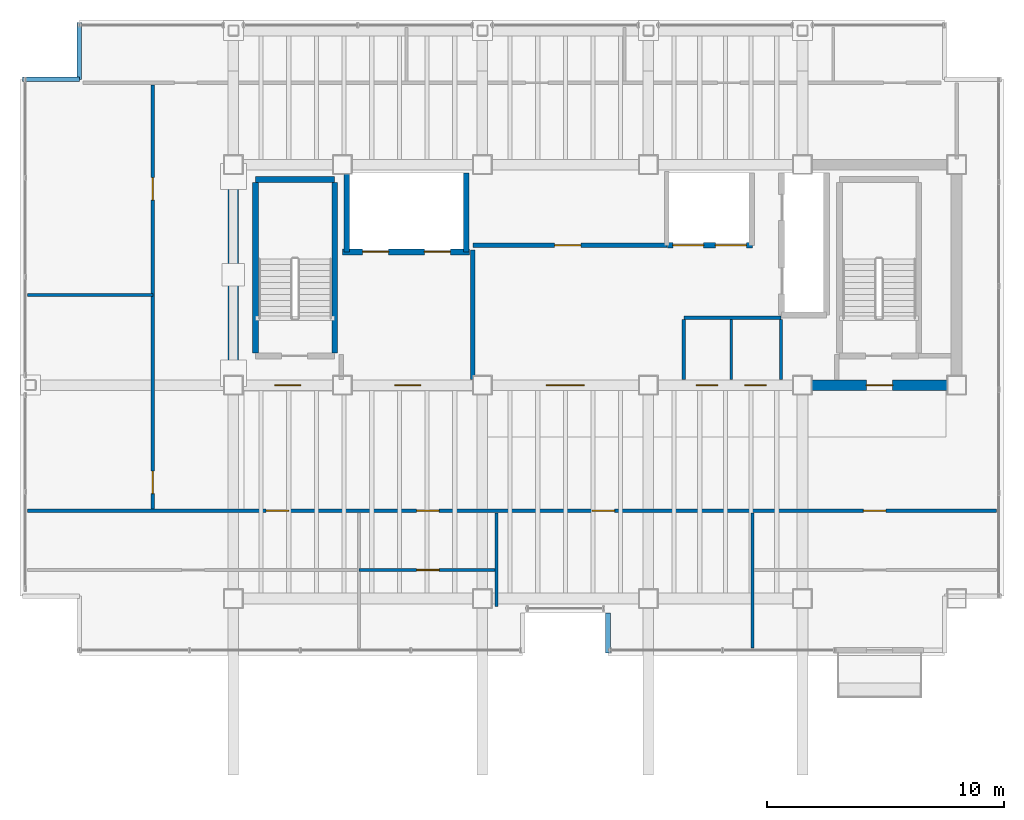
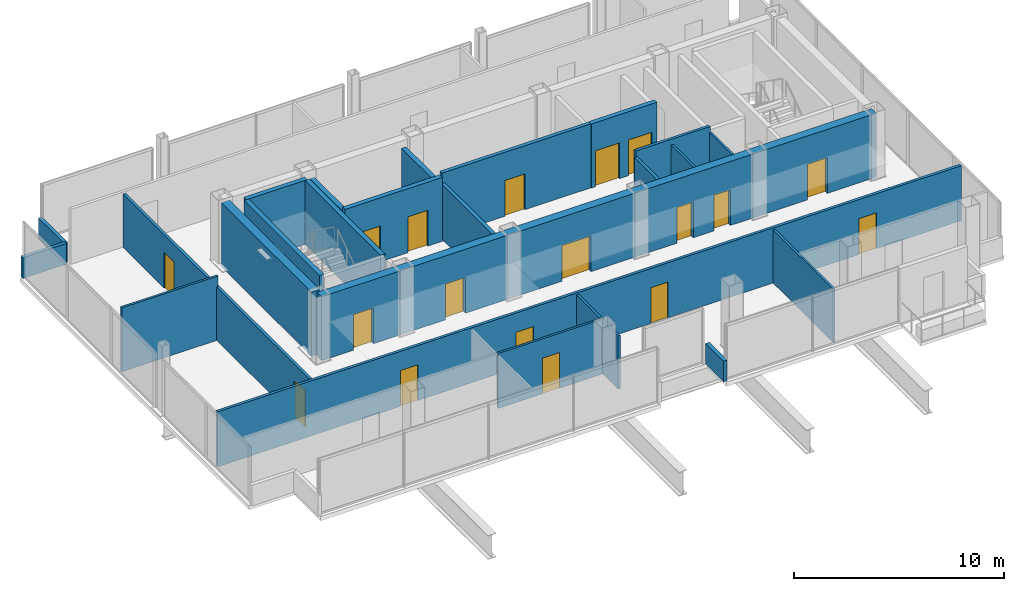
# One storey, part 17 of 19: 24 walls, 18 doors, 18 openings.
"""IFC4 building model written with IfcOpenShell, lengths in metres."""

from ifc_helpers import new_model, si_unit, direction, frame, frame_2d, origin, place, context, subcontext, project, spatial, rectangle, extrude, material, layer, layer_set, type_object, element, fill, save


model = new_model("IFC4")

# Units and contexts
model_context = context("Model", 3, precision=1e-05, world=origin(), true_north=direction((0.0, 1.0)))
body_context = subcontext(model_context, "Body", "Model", "MODEL_VIEW")
ifc_project = project(units=[si_unit("LENGTHUNIT", "METRE"), si_unit("AREAUNIT", "SQUARE_METRE"), si_unit("VOLUMEUNIT", "CUBIC_METRE"), si_unit("PLANEANGLEUNIT", "RADIAN"), si_unit("MASSUNIT", "GRAM", prefix="KILO")], contexts=[model_context])

# Site, building, storey
site_placement = place(None, origin())
site = spatial("IfcSite", under=ifc_project, at=site_placement, CompositionType="ELEMENT")
building_placement = place(site_placement, origin())
building = spatial("IfcBuilding", under=site, at=building_placement, Name="Noeulbin Bourse Tower", CompositionType="ELEMENT")
storey_placement = place(building_placement, frame((0.0, 0.0, 257.89990234375)))
storey = spatial("IfcBuildingStorey", under=building, at=storey_placement, Name="L64", CompositionType="ELEMENT", Elevation=257.89990234375)

# Wall, openings, doors
ifc_material_1 = material(Name="Concrete C50/60", Category="concrete")
ifc_layer_1 = layer(ifc_material_1, 0.449951171875)
ifc_layer_set_1 = layer_set([ifc_layer_1], Name="Concrete C50/60")
wall_type_1 = type_object("IfcWallType", Name="WAL-CORE-450", PredefinedType="SHEAR", material=ifc_layer_set_1)
wall_1_placement = place(storey_placement, frame((13.5, 29.0, 0.0), z_axis=(0.0, 0.0, 1.0), x_axis=(1.0, 0.0, 0.0)))
wall_1 = element("IfcWall", 1, at=wall_1_placement, inside=storey, type_object=wall_type_1, Name="Rear Core South Shear Wall L64", PredefinedType="SHEAR", context=body_context, shape_type="SweptSolid", body=[
    extrude(rectangle(XDim=30.5, YDim=0.449951171875, at=frame_2d((15.25, 0.0))), origin(), (0.0, 0.0, 1.0), 3.72021484375),
])
opening_1_placement = place(wall_1_placement, frame((1.75, 0.0, 0.0)))
opening_1 = element("IfcOpeningElement", 2, at=opening_1_placement, cuts=wall_1, Name="Opening FD-11", PredefinedType="OPENING", context=body_context, shape_type="SweptSolid", body=[
    extrude(rectangle(XDim=1.10009765625, YDim=2.080078125, at=frame_2d((0.550048828125, 1.0400390625))), frame((0.0, 0.23486328125, 0.0), z_axis=(0.0, -1.0, 0.0), x_axis=(1.0, 0.0, 0.0)), (0.0, 0.0, 1.0), 0.469970703125),
])
opening_2_placement = place(wall_1_placement, frame((26.699951171875, 0.0, 0.0)))
opening_2 = element("IfcOpeningElement", 3, at=opening_2_placement, cuts=wall_1, Name="Opening FD-11", PredefinedType="OPENING", context=body_context, shape_type="SweptSolid", body=[
    extrude(rectangle(XDim=1.10009765625, YDim=2.080078125, at=frame_2d((0.550048828125, 1.0400390625))), frame((0.0, 0.23486328125, 0.0), z_axis=(0.0, -1.0, 0.0), x_axis=(1.0, 0.0, 0.0)), (0.0, 0.0, 1.0), 0.469970703125),
])
opening_3_placement = place(wall_1_placement, frame((6.800048828125, 0.0, 0.0)))
opening_3 = element("IfcOpeningElement", 4, at=opening_3_placement, cuts=wall_1, Name="Opening FD-11", PredefinedType="OPENING", context=body_context, shape_type="SweptSolid", body=[
    extrude(rectangle(XDim=1.10009765625, YDim=2.080078125, at=frame_2d((0.550048828125, 1.0400390625))), frame((0.0, 0.23486328125, 0.0), z_axis=(0.0, -1.0, 0.0), x_axis=(1.0, 0.0, 0.0)), (0.0, 0.0, 1.0), 0.469970703125),
])
opening_4_placement = place(wall_1_placement, frame((13.199951171875, 0.0, 0.0)))
opening_4 = element("IfcOpeningElement", 5, at=opening_4_placement, cuts=wall_1, Name="Opening ID-16", PredefinedType="OPENING", context=body_context, shape_type="SweptSolid", body=[
    extrude(rectangle(XDim=1.60009765625, YDim=2.080078125, at=frame_2d((0.800048828125, 1.0400390625))), frame((0.0, 0.23486328125, 0.0), z_axis=(0.0, -1.0, 0.0), x_axis=(1.0, 0.0, 0.0)), (0.0, 0.0, 1.0), 0.469970703125),
])
opening_5_placement = place(wall_1_placement, frame((19.530029296875, 0.0, 0.0)))
opening_5 = element("IfcOpeningElement", 6, at=opening_5_placement, cuts=wall_1, Name="Opening FD-09", PredefinedType="OPENING", context=body_context, shape_type="SweptSolid", body=[
    extrude(rectangle(XDim=0.89990234375, YDim=2.080078125, at=frame_2d((0.449951171875, 1.0400390625))), frame((0.0, 0.23486328125, 0.0), z_axis=(0.0, -1.0, 0.0), x_axis=(1.0, 0.0, 0.0)), (0.0, 0.0, 1.0), 0.469970703125),
])
opening_6_placement = place(wall_1_placement, frame((21.570068359375, 0.0, 0.0)))
opening_6 = element("IfcOpeningElement", 7, at=opening_6_placement, cuts=wall_1, Name="Opening FD-09", PredefinedType="OPENING", context=body_context, shape_type="SweptSolid", body=[
    extrude(rectangle(XDim=0.89990234375, YDim=2.080078125, at=frame_2d((0.449951171875, 1.0400390625))), frame((0.0, 0.23486328125, 0.0), z_axis=(0.0, -1.0, 0.0), x_axis=(1.0, 0.0, 0.0)), (0.0, 0.0, 1.0), 0.469970703125),
])
ifc_material_2 = material(Name="Acoustic Glazed Aluminium", Category="aluminium")
door_type_1 = type_object("IfcDoorType", Name="DR-DBL-1600", OperationType="DOUBLE_DOOR_SINGLE_SWING", PredefinedType="DOOR", material=ifc_material_2)
door_1_placement = place(opening_4_placement, origin())
door_1 = element("IfcDoor", 8, at=door_1_placement, inside=storey, type_object=door_type_1, Name="Passenger Lift Lobby Portal L64", OperationType="DOUBLE_DOOR_SINGLE_SWING", OverallHeight=2.080078125, OverallWidth=1.60009765625, PredefinedType="DOOR", context=body_context, shape_type="SweptSolid", body=[
    extrude(rectangle(XDim=1.60009765625, YDim=2.080078125, at=frame_2d((0.800048828125, 1.0400390625))), frame((0.0, 0.02490234375, 0.0), z_axis=(0.0, -1.0, 0.0), x_axis=(1.0, 0.0, 0.0)), (0.0, 0.0, 1.0), 0.050048828125),
])
fill(opening_4, door_1)
ifc_material_3 = material(Name="Fire-Rated Timber Core", Category="wood")
door_type_2 = type_object("IfcDoorType", Name="DR-FD30-900", OperationType="SINGLE_SWING_RIGHT", PredefinedType="DOOR", material=ifc_material_3)
door_2_placement = place(opening_5_placement, origin())
door_2 = element("IfcDoor", 9, at=door_2_placement, inside=storey, type_object=door_type_2, Name="Interior Door L64-06", OperationType="SINGLE_SWING_LEFT", OverallHeight=2.080078125, OverallWidth=0.89990234375, PredefinedType="DOOR", context=body_context, shape_type="SweptSolid", body=[
    extrude(rectangle(XDim=0.89990234375, YDim=2.080078125, at=frame_2d((0.449951171875, 1.0400390625))), frame((0.0, 0.02490234375, 0.0), z_axis=(0.0, -1.0, 0.0), x_axis=(1.0, 0.0, 0.0)), (0.0, 0.0, 1.0), 0.050048828125),
])
fill(opening_5, door_2)
door_3_placement = place(opening_6_placement, origin())
door_3 = element("IfcDoor", 10, at=door_3_placement, inside=storey, type_object=door_type_2, Name="Interior Door L64-07", OperationType="SINGLE_SWING_RIGHT", OverallHeight=2.080078125, OverallWidth=0.89990234375, PredefinedType="DOOR", context=body_context, shape_type="SweptSolid", body=[
    extrude(rectangle(XDim=0.89990234375, YDim=2.080078125, at=frame_2d((0.449951171875, 1.0400390625))), frame((0.0, 0.02490234375, 0.0), z_axis=(0.0, -1.0, 0.0), x_axis=(1.0, 0.0, 0.0)), (0.0, 0.0, 1.0), 0.050048828125),
])
fill(opening_6, door_3)
ifc_material_4 = material(Name="Fire-Rated Insulated Steel", Category="steel")
door_type_3 = type_object("IfcDoorType", Name="DR-FD60-1100", OperationType="SINGLE_SWING_LEFT", PredefinedType="DOOR", material=ifc_material_4)
door_4_placement = place(opening_1_placement, origin())
door_4 = element("IfcDoor", 11, at=door_4_placement, inside=storey, type_object=door_type_3, Name="West Stair Lobby Door L64", OperationType="SINGLE_SWING_RIGHT", OverallHeight=2.080078125, OverallWidth=1.10009765625, PredefinedType="DOOR", context=body_context, shape_type="SweptSolid", body=[
    extrude(rectangle(XDim=1.10009765625, YDim=2.080078125, at=frame_2d((0.550048828125, 1.0400390625))), frame((0.0, 0.02490234375, 0.0), z_axis=(0.0, -1.0, 0.0), x_axis=(1.0, 0.0, 0.0)), (0.0, 0.0, 1.0), 0.050048828125),
])
fill(opening_1, door_4)
door_5_placement = place(opening_2_placement, origin())
door_5 = element("IfcDoor", 12, at=door_5_placement, inside=storey, type_object=door_type_3, Name="East Stair Lobby Door L64", OperationType="SINGLE_SWING_LEFT", OverallHeight=2.080078125, OverallWidth=1.10009765625, PredefinedType="DOOR", context=body_context, shape_type="SweptSolid", body=[
    extrude(rectangle(XDim=1.10009765625, YDim=2.080078125, at=frame_2d((0.550048828125, 1.0400390625))), frame((0.0, 0.02490234375, 0.0), z_axis=(0.0, -1.0, 0.0), x_axis=(1.0, 0.0, 0.0)), (0.0, 0.0, 1.0), 0.050048828125),
])
fill(opening_2, door_5)
door_6_placement = place(opening_3_placement, origin())
door_6 = element("IfcDoor", 13, at=door_6_placement, inside=storey, type_object=door_type_3, Name="Firefighting Lobby Door L64", OperationType="SINGLE_SWING_RIGHT", OverallHeight=2.080078125, OverallWidth=1.10009765625, PredefinedType="DOOR", context=body_context, shape_type="SweptSolid", body=[
    extrude(rectangle(XDim=1.10009765625, YDim=2.080078125, at=frame_2d((0.550048828125, 1.0400390625))), frame((0.0, 0.02490234375, 0.0), z_axis=(0.0, -1.0, 0.0), x_axis=(1.0, 0.0, 0.0)), (0.0, 0.0, 1.0), 0.050048828125),
])
fill(opening_3, door_6)

# Wall
wall_2_placement = place(storey_placement, frame((13.5, 29.35009765625, 0.0), z_axis=(0.0, 0.0, 1.0), x_axis=(0.0, 1.0, 0.0)))
element("IfcWall", 14, at=wall_2_placement, inside=storey, type_object=wall_type_1, Name="Rear Core West Shear Wall L64", PredefinedType="SHEAR", context=body_context, shape_type="SweptSolid", body=[
    extrude(rectangle(XDim=8.599853515625, YDim=0.449951171875, at=frame_2d((4.2998046875, 0.0))), origin(), (0.0, 0.0, 1.0), 3.72021484375),
])

# Wall, opening, door
ifc_material_5 = material(Name="Concrete C40/50", Category="concrete")
ifc_layer_2 = layer(ifc_material_5, 0.199951171875)
ifc_layer_set_2 = layer_set([ifc_layer_2], Name="Concrete C40/50")
wall_type_2 = type_object("IfcWallType", Name="WAL-FIRE-200", PredefinedType="STANDARD", material=ifc_layer_set_2)
wall_3_placement = place(storey_placement, frame((23.60009765625, 34.89990234375, 0.0), z_axis=(0.0, 0.0, 1.0), x_axis=(1.0, 0.0, 0.0)))
wall_3 = element("IfcWall", 15, at=wall_3_placement, inside=storey, type_object=wall_type_2, Name="Interior Partition Wall L64-02", PredefinedType="STANDARD", context=body_context, shape_type="SweptSolid", body=[
    extrude(rectangle(XDim=8.179931640625, YDim=0.199951171875, at=frame_2d((4.08984375, 0.0))), origin(), (0.0, 0.0, 1.0), 3.72021484375),
])
opening_7_placement = place(wall_3_placement, frame((3.449951171875, 0.0, 0.0)))
opening_7 = element("IfcOpeningElement", 16, at=opening_7_placement, cuts=wall_3, Name="Opening FD-11", PredefinedType="OPENING", context=body_context, shape_type="SweptSolid", body=[
    extrude(rectangle(XDim=1.10009765625, YDim=2.080078125, at=frame_2d((0.550048828125, 1.0400390625))), frame((0.0, 0.10986328125, 0.0), z_axis=(0.0, -1.0, 0.0), x_axis=(1.0, 0.0, 0.0)), (0.0, 0.0, 1.0), 0.219970703125),
])
door_7_placement = place(opening_7_placement, origin())
door_7 = element("IfcDoor", 17, at=door_7_placement, inside=storey, type_object=door_type_3, Name="Telemetry Server Door L64", OperationType="SINGLE_SWING_RIGHT", OverallHeight=2.080078125, OverallWidth=1.10009765625, PredefinedType="DOOR", context=body_context, shape_type="SweptSolid", body=[
    extrude(rectangle(XDim=1.10009765625, YDim=2.080078125, at=frame_2d((0.550048828125, 1.0400390625))), frame((0.0, 0.02490234375, 0.0), z_axis=(0.0, -1.0, 0.0), x_axis=(1.0, 0.0, 0.0)), (0.0, 0.0, 1.0), 0.050048828125),
])
fill(opening_7, door_7)

# Walls
wall_4_placement = place(storey_placement, frame((23.60009765625, 29.235107421875, 0.0), z_axis=(0.0, 0.0, 1.0), x_axis=(0.0, 1.0, 0.0)))
element("IfcWall", 18, at=wall_4_placement, inside=storey, type_object=wall_type_2, Name="Interior Partition Wall L64-12", PredefinedType="STANDARD", context=body_context, shape_type="SweptSolid", body=[
    extrude(rectangle(XDim=5.46484375, YDim=0.199951171875, at=frame_2d((2.732421875, 0.0))), origin(), (0.0, 0.0, 1.0), 3.2001953125),
])
ifc_layer_3 = layer(ifc_material_5, 0.199951171875)
ifc_layer_set_3 = layer_set([ifc_layer_3], Name="Concrete C40/50")
wall_type_3 = type_object("IfcWallType", Name="WAL-PAR-200", PredefinedType="PARAPET", material=ifc_layer_set_3)
wall_5_placement = place(storey_placement, frame((4.60009765625, 41.89990234375, 0.0), z_axis=(0.0, 0.0, 1.0), x_axis=(1.0, 0.0, 0.0)))
element("IfcWall", 19, at=wall_5_placement, inside=storey, type_object=wall_type_3, Name="Corner Notch Parapet L64-NW1", PredefinedType="PARAPET", context=body_context, shape_type="SweptSolid", body=[
    extrude(rectangle(XDim=2.39990234375, YDim=0.199951171875, at=frame_2d((1.199951171875, 0.0))), origin(), (0.0, 0.0, 1.0), 1.2001953125),
])
wall_6_placement = place(storey_placement, frame((7.0, 41.89990234375, 0.0), z_axis=(0.0, 0.0, 1.0), x_axis=(0.0, 1.0, 0.0)))
element("IfcWall", 20, at=wall_6_placement, inside=storey, type_object=wall_type_3, Name="Corner Notch Parapet L64-NW2", PredefinedType="PARAPET", context=body_context, shape_type="SweptSolid", body=[
    extrude(rectangle(XDim=2.400146484375, YDim=0.199951171875, at=frame_2d((1.2001953125, 0.0))), origin(), (0.0, 0.0, 1.0), 1.2001953125),
])
wall_7_placement = place(storey_placement, frame((29.300048828125, 19.39990234375, 0.0), z_axis=(0.0, 0.0, 1.0), x_axis=(0.0, -1.0, 0.0)))
element("IfcWall", 21, at=wall_7_placement, inside=storey, type_object=wall_type_3, Name="Sky-Garden Recess Parapet L64-E", PredefinedType="PARAPET", context=body_context, shape_type="SweptSolid", body=[
    extrude(rectangle(XDim=1.699951171875, YDim=0.199951171875, at=frame_2d((0.85009765625, 0.0))), origin(), (0.0, 0.0, 1.0), 1.2001953125),
])

# Wall, opening, door
ifc_material_6 = material(Name="Steel Stud Gypsum Partition", Category="steel")
ifc_layer_4 = layer(ifc_material_6, 0.1201171875)
ifc_layer_set_4 = layer_set([ifc_layer_4], Name="Steel Stud Gypsum Partition")
wall_type_4 = type_object("IfcWallType", Name="WAL-PRT-120", PredefinedType="PARTITIONING", material=ifc_layer_set_4)
wall_8_placement = place(storey_placement, frame((18.800048828125, 21.199951171875, 0.0), z_axis=(0.0, 0.0, 1.0), x_axis=(1.0, 0.0, 0.0)))
wall_8 = element("IfcWall", 22, at=wall_8_placement, inside=storey, type_object=wall_type_4, Name="Interior Partition Wall L64-06", PredefinedType="PARTITIONING", context=body_context, shape_type="SweptSolid", body=[
    extrude(rectangle(XDim=5.800048828125, YDim=0.1201171875, at=frame_2d((2.89990234375, 0.0))), origin(), (0.0, 0.0, 1.0), 3.2001953125),
])
opening_8_placement = place(wall_8_placement, frame((2.425048828125, 0.0, 0.0)))
opening_8 = element("IfcOpeningElement", 23, at=opening_8_placement, cuts=wall_8, Name="Opening ID-09", PredefinedType="OPENING", context=body_context, shape_type="SweptSolid", body=[
    extrude(rectangle(XDim=0.949951171875, YDim=2.080078125, at=frame_2d((0.47509765625, 1.0400390625))), frame((0.0, 0.070068359375, 0.0), z_axis=(0.0, -1.0, 0.0), x_axis=(1.0, 0.0, 0.0)), (0.0, 0.0, 1.0), 0.14013671875),
])
ifc_material_7 = material(Name="Acoustic Solid-Core Timber", Category="wood")
door_type_4 = type_object("IfcDoorType", Name="DR-SINGLE-950", OperationType="SINGLE_SWING_LEFT", PredefinedType="DOOR", material=ifc_material_7)
door_8_placement = place(opening_8_placement, origin())
door_8 = element("IfcDoor", 24, at=door_8_placement, inside=storey, type_object=door_type_4, Name="Interior Door L64-10", OperationType="SINGLE_SWING_LEFT", OverallHeight=2.080078125, OverallWidth=0.949951171875, PredefinedType="DOOR", context=body_context, shape_type="SweptSolid", body=[
    extrude(rectangle(XDim=0.949951171875, YDim=2.080078125, at=frame_2d((0.47509765625, 1.0400390625))), frame((0.0, 0.02490234375, 0.0), z_axis=(0.0, -1.0, 0.0), x_axis=(1.0, 0.0, 0.0)), (0.0, 0.0, 1.0), 0.050048828125),
])
fill(opening_8, door_8)

# Walls
wall_9_placement = place(storey_placement, frame((4.81005859375, 32.800048828125, 0.0), z_axis=(0.0, 0.0, 1.0), x_axis=(1.0, 0.0, 0.0)))
element("IfcWall", 25, at=wall_9_placement, inside=storey, type_object=wall_type_4, Name="Interior Partition Wall L64-08", PredefinedType="PARTITIONING", context=body_context, shape_type="SweptSolid", body=[
    extrude(rectangle(XDim=5.2900390625, YDim=0.1201171875, at=frame_2d((2.64501953125, 0.0))), origin(), (0.0, 0.0, 1.0), 3.72021484375),
])
for number, where, z_axis, x_axis, name in (
    (26, (36.60009765625, 29.235107421875, 0.0), (0.0, 0.0, 1.0), (0.0, 1.0, 0.0), "Interior Partition Wall L64-14"),
    (27, (34.5, 29.235107421875, 0.0), (0.0, 0.0, 1.0), (0.0, 1.0, 0.0), "Interior Partition Wall L64-15"),
):
    element("IfcWall", number, at=place(storey_placement, frame(where, z_axis=z_axis, x_axis=x_axis)), inside=storey, type_object=wall_type_4, Name=name, PredefinedType="PARTITIONING", context=body_context, shape_type="SweptSolid", body=[
        extrude(rectangle(XDim=2.52978515625, YDim=0.1201171875, at=frame_2d((1.264892578125, 0.0))), origin(), (0.0, 0.0, 1.0), 3.400146484375),
    ])
wall_10_placement = place(storey_placement, frame((24.60009765625, 19.669921875, 0.0), z_axis=(0.0, 0.0, 1.0), x_axis=(0.0, 1.0, 0.0)))
element("IfcWall", 28, at=wall_10_placement, inside=storey, type_object=wall_type_4, Name="Interior Partition Wall L64-18", PredefinedType="PARTITIONING", context=body_context, shape_type="SweptSolid", body=[
    extrude(rectangle(XDim=3.945068359375, YDim=0.1201171875, at=frame_2d((1.97265625, 0.0))), origin(), (0.0, 0.0, 1.0), 3.10009765625),
])
wall_11_placement = place(storey_placement, frame((35.39990234375, 17.909912109375, 0.0), z_axis=(0.0, 0.0, 1.0), x_axis=(0.0, 1.0, 0.0)))
element("IfcWall", 29, at=wall_11_placement, inside=storey, type_object=wall_type_4, Name="Interior Partition Wall L64-19", PredefinedType="PARTITIONING", context=body_context, shape_type="SweptSolid", body=[
    extrude(rectangle(XDim=5.705078125, YDim=0.1201171875, at=frame_2d((2.8525390625, 0.0))), origin(), (0.0, 0.0, 1.0), 3.10009765625),
])
ifc_material_8 = material(Name="Steel Stud Acoustic Gypsum Board", Category="steel")
ifc_layer_5 = layer(ifc_material_8, 0.14990234375)
ifc_layer_set_5 = layer_set([ifc_layer_5], Name="Steel Stud Acoustic Gypsum Board")
wall_type_5 = type_object("IfcWallType", Name="WAL-PRT-150", PredefinedType="PARTITIONING", material=ifc_layer_set_5)
wall_12_placement = place(storey_placement, frame((32.5, 31.85009765625, 0.0), z_axis=(0.0, 0.0, 1.0), x_axis=(1.0, 0.0, 0.0)))
element("IfcWall", 30, at=wall_12_placement, inside=storey, type_object=wall_type_5, Name="Interior Partition Wall L64-03", PredefinedType="PARTITIONING", context=body_context, shape_type="SweptSolid", body=[
    extrude(rectangle(XDim=4.10009765625, YDim=0.14990234375, at=frame_2d((2.050048828125, 0.0))), origin(), (0.0, 0.0, 1.0), 3.72021484375),
])

# Wall, openings, doors
wall_13_placement = place(storey_placement, frame((4.81005859375, 23.699951171875, 0.0), z_axis=(0.0, 0.0, 1.0), x_axis=(1.0, 0.0, 0.0)))
wall_13 = element("IfcWall", 31, at=wall_13_placement, inside=storey, type_object=wall_type_5, Name="Interior Partition Wall L64-04", PredefinedType="PARTITIONING", context=body_context, shape_type="SweptSolid", body=[
    extrude(rectangle(XDim=40.8798828125, YDim=0.14990234375, at=frame_2d((20.43994140625, 0.0))), origin(), (0.0, 0.0, 1.0), 3.2001953125),
])
opening_9_placement = place(wall_13_placement, frame((10.06494140625, 0.0, 0.0)))
opening_9 = element("IfcOpeningElement", 32, at=opening_9_placement, cuts=wall_13, Name="Opening ID-09", PredefinedType="OPENING", context=body_context, shape_type="SweptSolid", body=[
    extrude(rectangle(XDim=0.949951171875, YDim=2.080078125, at=frame_2d((0.47509765625, 1.0400390625))), frame((0.0, 0.0849609375, 0.0), z_axis=(0.0, -1.0, 0.0), x_axis=(1.0, 0.0, 0.0)), (0.0, 0.0, 1.0), 0.169921875),
])
opening_10_placement = place(wall_13_placement, frame((16.4150390625, 0.0, 0.0)))
opening_10 = element("IfcOpeningElement", 33, at=opening_10_placement, cuts=wall_13, Name="Opening ID-09", PredefinedType="OPENING", context=body_context, shape_type="SweptSolid", body=[
    extrude(rectangle(XDim=0.949951171875, YDim=2.080078125, at=frame_2d((0.47509765625, 1.0400390625))), frame((0.0, 0.0849609375, 0.0), z_axis=(0.0, -1.0, 0.0), x_axis=(1.0, 0.0, 0.0)), (0.0, 0.0, 1.0), 0.169921875),
])
opening_11_placement = place(wall_13_placement, frame((23.81494140625, 0.0, 0.0)))
opening_11 = element("IfcOpeningElement", 34, at=opening_11_placement, cuts=wall_13, Name="Opening ID-09", PredefinedType="OPENING", context=body_context, shape_type="SweptSolid", body=[
    extrude(rectangle(XDim=0.949951171875, YDim=2.080078125, at=frame_2d((0.47509765625, 1.0400390625))), frame((0.0, 0.0849609375, 0.0), z_axis=(0.0, -1.0, 0.0), x_axis=(1.0, 0.0, 0.0)), (0.0, 0.0, 1.0), 0.169921875),
])
opening_12_placement = place(wall_13_placement, frame((35.260009765625, 0.0, 0.0)))
opening_12 = element("IfcOpeningElement", 35, at=opening_12_placement, cuts=wall_13, Name="Opening ID-09", PredefinedType="OPENING", context=body_context, shape_type="SweptSolid", body=[
    extrude(rectangle(XDim=0.949951171875, YDim=2.080078125, at=frame_2d((0.47509765625, 1.0400390625))), frame((0.0, 0.0849609375, 0.0), z_axis=(0.0, -1.0, 0.0), x_axis=(1.0, 0.0, 0.0)), (0.0, 0.0, 1.0), 0.169921875),
])
door_9_placement = place(opening_9_placement, origin())
door_9 = element("IfcDoor", 36, at=door_9_placement, inside=storey, type_object=door_type_4, Name="Interior Door L64-09", OperationType="SINGLE_SWING_RIGHT", OverallHeight=2.080078125, OverallWidth=0.949951171875, PredefinedType="DOOR", context=body_context, shape_type="SweptSolid", body=[
    extrude(rectangle(XDim=0.949951171875, YDim=2.080078125, at=frame_2d((0.47509765625, 1.0400390625))), frame((0.0, 0.02490234375, 0.0), z_axis=(0.0, -1.0, 0.0), x_axis=(1.0, 0.0, 0.0)), (0.0, 0.0, 1.0), 0.050048828125),
])
fill(opening_9, door_9)
door_10_placement = place(opening_10_placement, origin())
door_10 = element("IfcDoor", 37, at=door_10_placement, inside=storey, type_object=door_type_4, Name="Interior Door L64-11", OperationType="SINGLE_SWING_RIGHT", OverallHeight=2.080078125, OverallWidth=0.949951171875, PredefinedType="DOOR", context=body_context, shape_type="SweptSolid", body=[
    extrude(rectangle(XDim=0.949951171875, YDim=2.080078125, at=frame_2d((0.47509765625, 1.0400390625))), frame((0.0, 0.02490234375, 0.0), z_axis=(0.0, -1.0, 0.0), x_axis=(1.0, 0.0, 0.0)), (0.0, 0.0, 1.0), 0.050048828125),
])
fill(opening_10, door_10)
door_11_placement = place(opening_11_placement, origin())
door_11 = element("IfcDoor", 38, at=door_11_placement, inside=storey, type_object=door_type_4, Name="Interior Door L64-12", OperationType="SINGLE_SWING_LEFT", OverallHeight=2.080078125, OverallWidth=0.949951171875, PredefinedType="DOOR", context=body_context, shape_type="SweptSolid", body=[
    extrude(rectangle(XDim=0.949951171875, YDim=2.080078125, at=frame_2d((0.47509765625, 1.0400390625))), frame((0.0, 0.02490234375, 0.0), z_axis=(0.0, -1.0, 0.0), x_axis=(1.0, 0.0, 0.0)), (0.0, 0.0, 1.0), 0.050048828125),
])
fill(opening_11, door_11)
door_12_placement = place(opening_12_placement, origin())
door_12 = element("IfcDoor", 39, at=door_12_placement, inside=storey, type_object=door_type_4, Name="Interior Door L64-14", OperationType="SINGLE_SWING_LEFT", OverallHeight=2.080078125, OverallWidth=0.949951171875, PredefinedType="DOOR", context=body_context, shape_type="SweptSolid", body=[
    extrude(rectangle(XDim=0.949951171875, YDim=2.080078125, at=frame_2d((0.47509765625, 1.0400390625))), frame((0.0, 0.02490234375, 0.0), z_axis=(0.0, -1.0, 0.0), x_axis=(1.0, 0.0, 0.0)), (0.0, 0.0, 1.0), 0.050048828125),
])
fill(opening_12, door_12)

# Wall
wall_14_placement = place(storey_placement, frame((32.5, 29.235107421875, 0.0), z_axis=(0.0, 0.0, 1.0), x_axis=(0.0, 1.0, 0.0)))
element("IfcWall", 40, at=wall_14_placement, inside=storey, type_object=wall_type_5, Name="Interior Partition Wall L64-13", PredefinedType="PARTITIONING", context=body_context, shape_type="SweptSolid", body=[
    extrude(rectangle(XDim=2.52978515625, YDim=0.14990234375, at=frame_2d((1.264892578125, 0.0))), origin(), (0.0, 0.0, 1.0), 3.400146484375),
])

# Wall, openings, doors
wall_15_placement = place(storey_placement, frame((10.10009765625, 23.784912109375, 0.0), z_axis=(0.0, 0.0, 1.0), x_axis=(0.0, 1.0, 0.0)))
wall_15 = element("IfcWall", 41, at=wall_15_placement, inside=storey, type_object=wall_type_5, Name="Interior Partition Wall L64-16", PredefinedType="PARTITIONING", context=body_context, shape_type="SweptSolid", body=[
    extrude(rectangle(XDim=17.880126953125, YDim=0.14990234375, at=frame_2d((8.93994140625, 0.0))), origin(), (0.0, 0.0, 1.0), 3.10009765625),
])
opening_13_placement = place(wall_15_placement, frame((0.639892578125, 0.0, 0.0)))
opening_13 = element("IfcOpeningElement", 42, at=opening_13_placement, cuts=wall_15, Name="Opening ID-09", PredefinedType="OPENING", context=body_context, shape_type="SweptSolid", body=[
    extrude(rectangle(XDim=0.949951171875, YDim=2.080078125, at=frame_2d((0.47509765625, 1.0400390625))), frame((0.0, 0.0849609375, 0.0), z_axis=(0.0, -1.0, 0.0), x_axis=(1.0, 0.0, 0.0)), (0.0, 0.0, 1.0), 0.169921875),
])
opening_14_placement = place(wall_15_placement, frame((13.014892578125, 0.0, 0.0)))
opening_14 = element("IfcOpeningElement", 43, at=opening_14_placement, cuts=wall_15, Name="Opening ID-09", PredefinedType="OPENING", context=body_context, shape_type="SweptSolid", body=[
    extrude(rectangle(XDim=0.949951171875, YDim=2.080078125, at=frame_2d((0.47509765625, 1.0400390625))), frame((0.0, 0.0849609375, 0.0), z_axis=(0.0, -1.0, 0.0), x_axis=(1.0, 0.0, 0.0)), (0.0, 0.0, 1.0), 0.169921875),
])
door_13_placement = place(opening_13_placement, origin())
door_13 = element("IfcDoor", 44, at=door_13_placement, inside=storey, type_object=door_type_4, Name="Interior Door L64-15", OperationType="SINGLE_SWING_RIGHT", OverallHeight=2.080078125, OverallWidth=0.949951171875, PredefinedType="DOOR", context=body_context, shape_type="SweptSolid", body=[
    extrude(rectangle(XDim=0.949951171875, YDim=2.080078125, at=frame_2d((0.47509765625, 1.0400390625))), frame((0.0, 0.02490234375, 0.0), z_axis=(0.0, -1.0, 0.0), x_axis=(1.0, 0.0, 0.0)), (0.0, 0.0, 1.0), 0.050048828125),
])
fill(opening_13, door_13)
door_14_placement = place(opening_14_placement, origin())
door_14 = element("IfcDoor", 45, at=door_14_placement, inside=storey, type_object=door_type_4, Name="Interior Door L64-16", OperationType="SINGLE_SWING_LEFT", OverallHeight=2.080078125, OverallWidth=0.949951171875, PredefinedType="DOOR", context=body_context, shape_type="SweptSolid", body=[
    extrude(rectangle(XDim=0.949951171875, YDim=2.080078125, at=frame_2d((0.47509765625, 1.0400390625))), frame((0.0, 0.02490234375, 0.0), z_axis=(0.0, -1.0, 0.0), x_axis=(1.0, 0.0, 0.0)), (0.0, 0.0, 1.0), 0.050048828125),
])
fill(opening_14, door_14)

# Walls
ifc_layer_6 = layer(ifc_material_5, 0.25)
ifc_layer_set_6 = layer_set([ifc_layer_6], Name="Concrete C40/50")
wall_type_6 = type_object("IfcWallType", Name="WAL-SHFT-250", PredefinedType="STANDARD", material=ifc_layer_set_6)
wall_16_placement = place(storey_placement, frame((14.429931640625, 37.6689453125, 0.0), z_axis=(0.0, 0.0, 1.0), x_axis=(1.0, 0.0, 0.0)))
element("IfcWall", 46, at=wall_16_placement, inside=storey, type_object=wall_type_6, Name="Stair ST-1 North Shaft Wall L64", PredefinedType="STANDARD", context=body_context, shape_type="SweptSolid", body=[
    extrude(rectangle(XDim=3.340087890625, YDim=0.25, at=frame_2d((1.669921875, 0.0))), origin(), (0.0, 0.0, 1.0), 3.72021484375),
])
for number, where, z_axis, x_axis, name in (
    (47, (14.425048828125, 30.360107421875, 0.0), (0.0, 0.0, 1.0), (0.0, 1.0, 0.0), "Stair ST-1 West Shaft Wall L64"),
    (48, (17.77490234375, 30.360107421875, 0.0), (0.0, 0.0, 1.0), (0.0, 1.0, 0.0), "Stair ST-1 East Shaft Wall L64"),
):
    element("IfcWall", number, at=place(storey_placement, frame(where, z_axis=z_axis, x_axis=x_axis)), inside=storey, type_object=wall_type_6, Name=name, PredefinedType="STANDARD", context=body_context, shape_type="SweptSolid", body=[
        extrude(rectangle(XDim=7.183837890625, YDim=0.25, at=frame_2d((3.591796875, 0.0))), origin(), (0.0, 0.0, 1.0), 3.72021484375),
    ])

# Wall, openings, doors
wall_17_placement = place(storey_placement, frame((18.10009765625, 34.6201171875, 0.0), z_axis=(0.0, 0.0, 1.0), x_axis=(1.0, 0.0, 0.0)))
wall_17 = element("IfcWall", 49, at=wall_17_placement, inside=storey, type_object=wall_type_6, Name="Firefighting Lift Shaft Front L64", PredefinedType="STANDARD", context=body_context, shape_type="SweptSolid", body=[
    extrude(rectangle(XDim=5.349853515625, YDim=0.25, at=frame_2d((2.6748046875, 0.0))), origin(), (0.0, 0.0, 1.0), 3.72021484375),
])
opening_15_placement = place(wall_17_placement, frame((0.85009765625, 0.0, 0.0)))
opening_15 = element("IfcOpeningElement", 50, at=opening_15_placement, cuts=wall_17, Name="Opening LD-11", PredefinedType="OPENING", context=body_context, shape_type="SweptSolid", body=[
    extrude(rectangle(XDim=1.10009765625, YDim=2.080078125, at=frame_2d((0.550048828125, 1.0400390625))), frame((0.0, 0.135009765625, 0.0), z_axis=(0.0, -1.0, 0.0), x_axis=(1.0, 0.0, 0.0)), (0.0, 0.0, 1.0), 0.27001953125),
])
opening_16_placement = place(wall_17_placement, frame((3.449951171875, 0.0, 0.0)))
opening_16 = element("IfcOpeningElement", 51, at=opening_16_placement, cuts=wall_17, Name="Opening LD-11", PredefinedType="OPENING", context=body_context, shape_type="SweptSolid", body=[
    extrude(rectangle(XDim=1.10009765625, YDim=2.080078125, at=frame_2d((0.550048828125, 1.0400390625))), frame((0.0, 0.135009765625, 0.0), z_axis=(0.0, -1.0, 0.0), x_axis=(1.0, 0.0, 0.0)), (0.0, 0.0, 1.0), 0.27001953125),
])
ifc_material_9 = material(Name="Brushed Stainless Steel 316", Category="steel")
door_type_5 = type_object("IfcDoorType", Name="DR-LIFT-1100", OperationType="SLIDING_TO_LEFT", PredefinedType="DOOR", material=ifc_material_9)
door_15_placement = place(opening_15_placement, origin())
door_15 = element("IfcDoor", 52, at=door_15_placement, inside=storey, type_object=door_type_5, Name="Lift Landing Door LD-FL-01-L64", OperationType="SLIDING_TO_LEFT", OverallHeight=2.080078125, OverallWidth=1.10009765625, PredefinedType="DOOR", context=body_context, shape_type="SweptSolid", body=[
    extrude(rectangle(XDim=1.10009765625, YDim=2.080078125, at=frame_2d((0.550048828125, 1.0400390625))), frame((0.0, 0.02490234375, 0.0), z_axis=(0.0, -1.0, 0.0), x_axis=(1.0, 0.0, 0.0)), (0.0, 0.0, 1.0), 0.050048828125),
])
fill(opening_15, door_15)
door_16_placement = place(opening_16_placement, origin())
door_16 = element("IfcDoor", 53, at=door_16_placement, inside=storey, type_object=door_type_5, Name="Lift Landing Door LD-FL-02-L64", OperationType="SLIDING_TO_LEFT", OverallHeight=2.080078125, OverallWidth=1.10009765625, PredefinedType="DOOR", context=body_context, shape_type="SweptSolid", body=[
    extrude(rectangle(XDim=1.10009765625, YDim=2.080078125, at=frame_2d((0.550048828125, 1.0400390625))), frame((0.0, 0.02490234375, 0.0), z_axis=(0.0, -1.0, 0.0), x_axis=(1.0, 0.0, 0.0)), (0.0, 0.0, 1.0), 0.050048828125),
])
fill(opening_16, door_16)

# Walls
for number, where, z_axis, x_axis, name in (
    (54, (18.280029296875, 34.6201171875, 0.0), (0.0, 0.0, 1.0), (0.0, 1.0, 0.0), "Firefighting Lift West Shaft Wall L64"),
    (55, (23.320068359375, 34.6201171875, 0.0), (0.0, 0.0, 1.0), (0.0, 1.0, 0.0), "Firefighting Lift East Shaft Wall L64"),
):
    element("IfcWall", number, at=place(storey_placement, frame(where, z_axis=z_axis, x_axis=x_axis)), inside=storey, type_object=wall_type_6, Name=name, PredefinedType="STANDARD", context=body_context, shape_type="SweptSolid", body=[
        extrude(rectangle(XDim=3.329833984375, YDim=0.25, at=frame_2d((1.6650390625, 0.0))), origin(), (0.0, 0.0, 1.0), 3.400146484375),
    ])

# Wall, openings, doors
wall_18_placement = place(storey_placement, frame((31.800048828125, 34.89990234375, 0.0), z_axis=(0.0, 0.0, 1.0), x_axis=(1.0, 0.0, 0.0)))
wall_18 = element("IfcWall", 56, at=wall_18_placement, inside=storey, type_object=wall_type_6, Name="High-Rise Lift Bank Front L64", PredefinedType="STANDARD", context=body_context, shape_type="SweptSolid", body=[
    extrude(rectangle(XDim=3.599853515625, YDim=0.25, at=frame_2d((1.7998046875, 0.0))), origin(), (0.0, 0.0, 1.0), 3.72021484375),
])
opening_17_placement = place(wall_18_placement, frame((0.22998046875, 0.0, 0.0)))
opening_17 = element("IfcOpeningElement", 57, at=opening_17_placement, cuts=wall_18, Name="Opening LD-13", PredefinedType="OPENING", context=body_context, shape_type="SweptSolid", body=[
    extrude(rectangle(XDim=1.300048828125, YDim=2.080078125, at=frame_2d((0.64990234375, 1.0400390625))), frame((0.0, 0.135009765625, 0.0), z_axis=(0.0, -1.0, 0.0), x_axis=(1.0, 0.0, 0.0)), (0.0, 0.0, 1.0), 0.27001953125),
])
opening_18_placement = place(wall_18_placement, frame((2.030029296875, 0.0, 0.0)))
opening_18 = element("IfcOpeningElement", 58, at=opening_18_placement, cuts=wall_18, Name="Opening LD-13", PredefinedType="OPENING", context=body_context, shape_type="SweptSolid", body=[
    extrude(rectangle(XDim=1.300048828125, YDim=2.080078125, at=frame_2d((0.64990234375, 1.0400390625))), frame((0.0, 0.135009765625, 0.0), z_axis=(0.0, -1.0, 0.0), x_axis=(1.0, 0.0, 0.0)), (0.0, 0.0, 1.0), 0.27001953125),
])
door_type_6 = type_object("IfcDoorType", Name="DR-LIFT-1300", OperationType="DOUBLE_DOOR_SLIDING", PredefinedType="DOOR", material=ifc_material_9)
door_17_placement = place(opening_17_placement, origin())
door_17 = element("IfcDoor", 59, at=door_17_placement, inside=storey, type_object=door_type_6, Name="Lift Landing Door LD-PL-H1-L64", OperationType="DOUBLE_DOOR_SLIDING", OverallHeight=2.080078125, OverallWidth=1.300048828125, PredefinedType="DOOR", context=body_context, shape_type="SweptSolid", body=[
    extrude(rectangle(XDim=1.300048828125, YDim=2.080078125, at=frame_2d((0.64990234375, 1.0400390625))), frame((0.0, 0.02490234375, 0.0), z_axis=(0.0, -1.0, 0.0), x_axis=(1.0, 0.0, 0.0)), (0.0, 0.0, 1.0), 0.050048828125),
])
fill(opening_17, door_17)
door_18_placement = place(opening_18_placement, origin())
door_18 = element("IfcDoor", 60, at=door_18_placement, inside=storey, type_object=door_type_6, Name="Lift Landing Door LD-PL-H2-L64", OperationType="DOUBLE_DOOR_SLIDING", OverallHeight=2.080078125, OverallWidth=1.300048828125, PredefinedType="DOOR", context=body_context, shape_type="SweptSolid", body=[
    extrude(rectangle(XDim=1.300048828125, YDim=2.080078125, at=frame_2d((0.64990234375, 1.0400390625))), frame((0.0, 0.02490234375, 0.0), z_axis=(0.0, -1.0, 0.0), x_axis=(1.0, 0.0, 0.0)), (0.0, 0.0, 1.0), 0.050048828125),
])
fill(opening_18, door_18)

save(model, "model.ifc")
